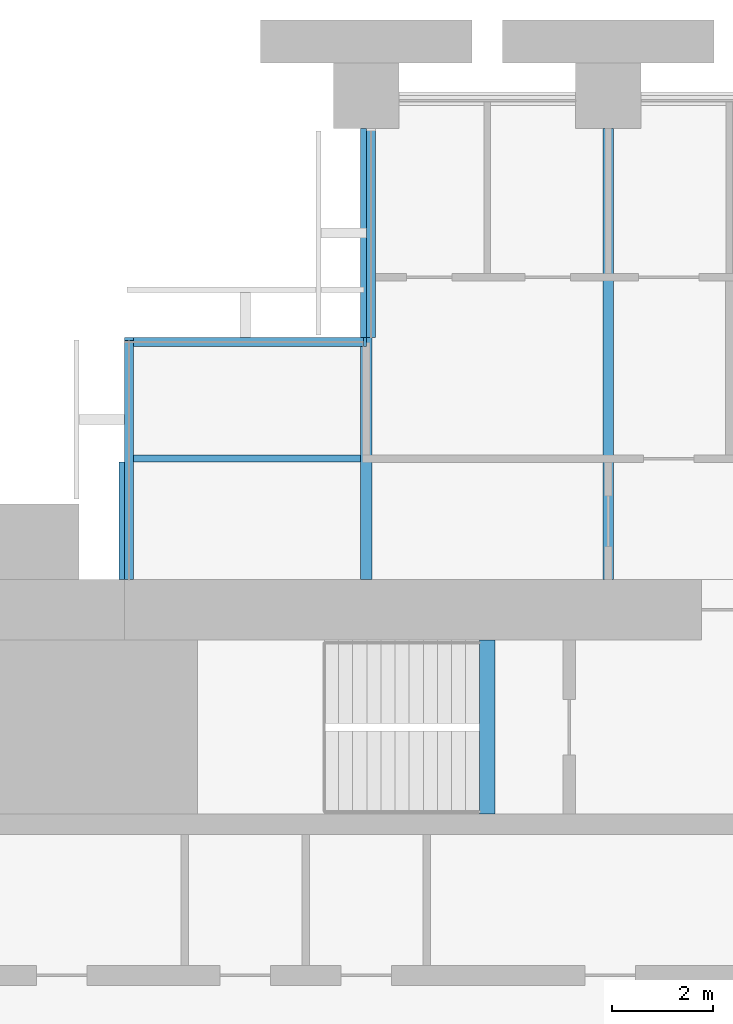
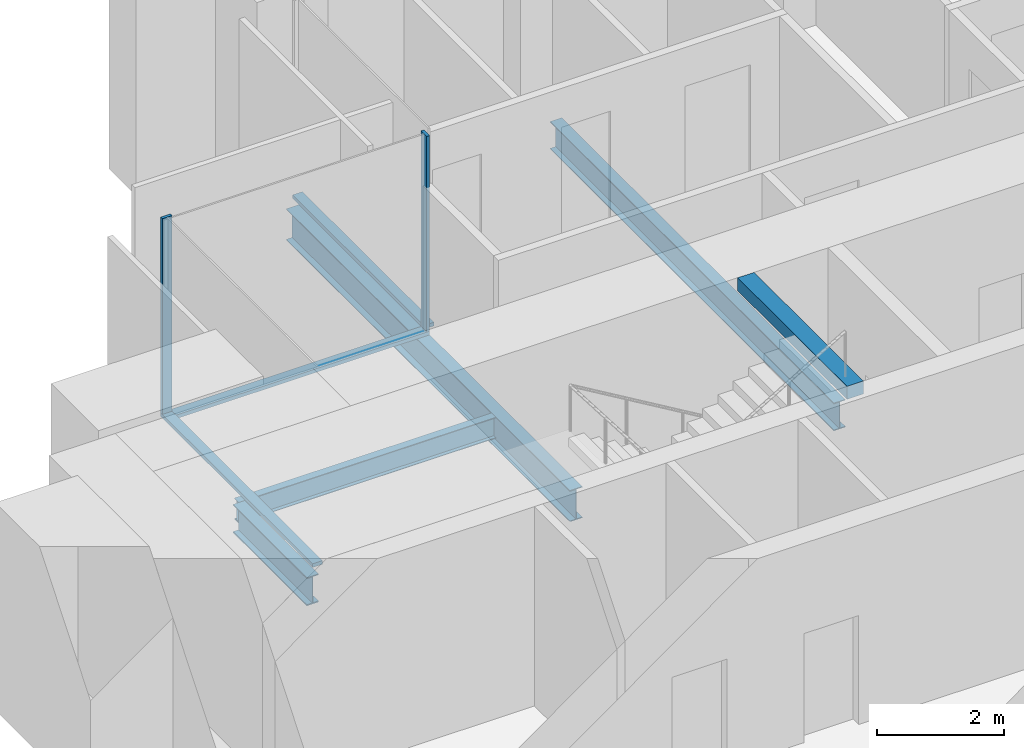
# One storey, part 5 of 14: 5 beams, 5 members, 3 elements without a shape of their own.
"""IFC4 building model written with IfcOpenShell, lengths in metres."""

from ifc_helpers import new_model, si_unit, direction, frame, origin, origin_2d, place, context, subcontext, project, spatial, rectangle, i_section, extrude, material, material_profile, profile_set, type_object, element, aggregate, save


model = new_model("IFC4")

# Units and contexts
model_context = context("Model", 3, precision=1e-05, world=origin(), true_north=direction((0.0, 1.0)))
body_context = subcontext(model_context, "Body", "Model", "MODEL_VIEW")
ifc_project = project(units=[si_unit("LENGTHUNIT", "METRE"), si_unit("AREAUNIT", "SQUARE_METRE"), si_unit("VOLUMEUNIT", "CUBIC_METRE"), si_unit("PLANEANGLEUNIT", "RADIAN"), si_unit("MASSUNIT", "GRAM", prefix="KILO")], contexts=[model_context])

# Site, building, storey
site_placement = place(None, origin())
site = spatial("IfcSite", under=ifc_project, at=site_placement, CompositionType="ELEMENT")
building_placement = place(site_placement, origin())
building = spatial("IfcBuilding", under=site, at=building_placement, Name="Baori Bourse Tower", CompositionType="ELEMENT")
storey_placement = place(building_placement, frame((0.0, 0.0, 67.0)))
storey = spatial("IfcBuildingStorey", under=building, at=storey_placement, Name="L14", CompositionType="ELEMENT", Elevation=67.0)

# Curtain wall, member
ifc_material_1 = material(Name="Pale anodised aluminium", Category="aluminium")
curtain_wall_type = type_object("IfcCurtainWallType", Name="CW2 Curtain wall", PredefinedType="NOTDEFINED", material=ifc_material_1)
curtain_wall_1_placement = place(storey_placement, origin())
curtain_wall_1 = element("IfcCurtainWall", 1, at=curtain_wall_1_placement, inside=storey, type_object=curtain_wall_type, Name="Curtain wall CW2 L14 6", PredefinedType="NOTDEFINED")
ifc_material_2 = material(Name="Pale anodised aluminium", Category="aluminium")
ifc_material_profile_1 = material_profile(ifc_material_2, rectangle(XDim=0.179931640625, YDim=0.054931640625, at=origin_2d()), Name="Mullion 55x180")
ifc_profile_set_1 = profile_set([ifc_material_profile_1], Name="Pale anodised aluminium")
member_type_1 = type_object("IfcMemberType", Name="CW2 Curtain wall mullion", PredefinedType="MULLION", material=ifc_profile_set_1)
member_1_placement = place(storey_placement, frame((9.572509765625, 43.110107421875, 0.070068359375), z_axis=(0.0, 0.0, 1.0), x_axis=(0.0, -1.0, 0.0)))
member_1 = element("IfcMember", 2, at=member_1_placement, type_object=member_type_1, Name="Curtain wall CW2 mullion", PredefinedType="MULLION", context=body_context, shape_type="SweptSolid", body=[
    extrude(rectangle(XDim=0.179931640625, YDim=0.054931640625, at=origin_2d()), origin(), (0.0, 0.0, 1.0), 3.77001953125),
])

curtain_wall_2_placement = place(storey_placement, origin())
curtain_wall_2 = element("IfcCurtainWall", 3, at=curtain_wall_2_placement, inside=storey, type_object=curtain_wall_type, Name="Curtain wall CW2 L14 7", PredefinedType="NOTDEFINED")
member_2_placement = place(storey_placement, frame((4.889892578125, 43.172607421875, 0.070068359375), z_axis=(0.0, 0.0, 1.0), x_axis=(1.0, 0.0, 0.0)))
member_2 = element("IfcMember", 4, at=member_2_placement, type_object=member_type_1, Name="Curtain wall CW2 mullion", PredefinedType="MULLION", context=body_context, shape_type="SweptSolid", body=[
    extrude(rectangle(XDim=0.179931640625, YDim=0.054931640625, at=origin_2d()), origin(), (0.0, 0.0, 1.0), 3.77001953125),
])

curtain_wall_3_placement = place(storey_placement, origin())
curtain_wall_3 = element("IfcCurtainWall", 5, at=curtain_wall_3_placement, inside=storey, type_object=curtain_wall_type, Name="Curtain wall CW2 L14 5", PredefinedType="NOTDEFINED")
ifc_material_3 = material(Name="Pale anodised aluminium", Category="aluminium")
ifc_material_profile_2 = material_profile(ifc_material_3, rectangle(XDim=0.179931640625, YDim=0.070068359375, at=origin_2d()), Name="Transom 70x180")
ifc_profile_set_2 = profile_set([ifc_material_profile_2], Name="Pale anodised aluminium")
member_type_2 = type_object("IfcMemberType", Name="CW2 Curtain wall transom", PredefinedType="USERDEFINED", material=ifc_profile_set_2)
member_3_placement = place(storey_placement, frame((9.68994140625, 47.35009765625, 0.034912109375), z_axis=(0.0, -1.0, 0.0), x_axis=(1.0, 0.0, 0.0)))
member_3 = element("IfcMember", 6, at=member_3_placement, type_object=member_type_2, Name="Curtain wall CW2 sill rail", ObjectType="TRANSOM", PredefinedType="USERDEFINED", context=body_context, shape_type="SweptSolid", body=[
    extrude(rectangle(XDim=0.179931640625, YDim=0.070068359375, at=origin_2d()), origin(), (0.0, 0.0, 1.0), 4.150146484375),
])
aggregate(curtain_wall_3, [member_3])

# Member
member_4_placement = place(storey_placement, frame((9.60009765625, 43.110107421875, 0.034912109375), z_axis=(-1.0, 0.0, 0.0), x_axis=(0.0, -1.0, 0.0)))
member_4 = element("IfcMember", 7, at=member_4_placement, type_object=member_type_2, Name="Curtain wall CW2 sill rail", ObjectType="TRANSOM", PredefinedType="USERDEFINED", context=body_context, shape_type="SweptSolid", body=[
    extrude(rectangle(XDim=0.179931640625, YDim=0.070068359375, at=origin_2d()), origin(), (0.0, 0.0, 1.0), 4.800048828125),
])

aggregate(curtain_wall_1, [member_4, member_1])

member_5_placement = place(storey_placement, frame((4.889892578125, 43.199951171875, 0.034912109375), z_axis=(0.0, -1.0, 0.0), x_axis=(1.0, 0.0, 0.0)))
member_5 = element("IfcMember", 8, at=member_5_placement, type_object=member_type_2, Name="Curtain wall CW2 sill rail", ObjectType="TRANSOM", PredefinedType="USERDEFINED", context=body_context, shape_type="SweptSolid", body=[
    extrude(rectangle(XDim=0.179931640625, YDim=0.070068359375, at=origin_2d()), origin(), (0.0, 0.0, 1.0), 4.800048828125),
])

aggregate(curtain_wall_2, [member_5, member_2])

# Beams
ifc_material_4 = material(Name="Steel A992 Gr 50", Category="steel")
ifc_material_profile_3 = material_profile(ifc_material_4, i_section(OverallWidth=0.21240234375, OverallDepth=0.54345703125, WebThickness=0.01318359375, FlangeThickness=0.021240234375, at=origin_2d()), Name="W21x83")
ifc_profile_set_3 = profile_set([ifc_material_profile_3], Name="Steel A992 Gr 50")
beam_type_1 = type_object("IfcBeamType", Name="Core bracket W21x83", PredefinedType="BEAM", material=ifc_profile_set_3)
beam_1_placement = place(storey_placement, frame((4.800048828125, 38.39990234375, -0.431884765625), z_axis=(0.0, 1.0, 0.0), x_axis=(-1.0, 0.0, 0.0)))
element("IfcBeam", 9, at=beam_1_placement, inside=storey, type_object=beam_type_1, Name="Core bracket L14", PredefinedType="BEAM", context=body_context, shape_type="SweptSolid", body=[
    extrude(i_section(OverallWidth=0.21240234375, OverallDepth=0.54345703125, WebThickness=0.01318359375, FlangeThickness=0.021240234375, at=origin_2d()), origin(), (0.0, 0.0, 1.0), 2.329833984375),
])
ifc_material_5 = material(Name="Steel A992 Gr 50", Category="steel")
ifc_material_profile_4 = material_profile(ifc_material_5, i_section(OverallWidth=0.209228515625, OverallDepth=0.533447265625, WebThickness=0.01025390625, FlangeThickness=0.015625, at=origin_2d()), Name="W21x62")
ifc_profile_set_4 = profile_set([ifc_material_profile_4], Name="Steel A992 Gr 50")
beam_type_2 = type_object("IfcBeamType", Name="Floor beam W21x62", PredefinedType="BEAM", material=ifc_profile_set_4)
beam_2_placement = place(storey_placement, frame((14.39990234375, 38.39990234375, -0.4267578125), z_axis=(0.0, 1.0, 0.0), x_axis=(-1.0, 0.0, 0.0)))
element("IfcBeam", 10, at=beam_2_placement, inside=storey, type_object=beam_type_2, Name="Floor beam L14", PredefinedType="BEAM", context=body_context, shape_type="SweptSolid", body=[
    extrude(i_section(OverallWidth=0.209228515625, OverallDepth=0.533447265625, WebThickness=0.01025390625, FlangeThickness=0.015625, at=origin_2d()), origin(), (0.0, 0.0, 1.0), 8.9501953125),
])
ifc_material_6 = material(Name="Steel A992 Gr 50", Category="steel")
ifc_material_profile_5 = material_profile(ifc_material_6, i_section(OverallWidth=0.227783203125, OverallDepth=0.60205078125, WebThickness=0.010498046875, FlangeThickness=0.014892578125, at=origin_2d()), Name="W24x68")
ifc_profile_set_5 = profile_set([ifc_material_profile_5], Name="Steel A992 Gr 50")
beam_type_3 = type_object("IfcBeamType", Name="Floor beam W24x68", PredefinedType="BEAM", material=ifc_profile_set_5)
beam_3_placement = place(storey_placement, frame((9.60009765625, 38.39990234375, -0.4609375), z_axis=(0.0, 1.0, 0.0), x_axis=(-1.0, 0.0, 0.0)))
element("IfcBeam", 11, at=beam_3_placement, inside=storey, type_object=beam_type_3, Name="Floor beam L14", PredefinedType="BEAM", context=body_context, shape_type="SweptSolid", body=[
    extrude(i_section(OverallWidth=0.227783203125, OverallDepth=0.60205078125, WebThickness=0.010498046875, FlangeThickness=0.014892578125, at=origin_2d()), origin(), (0.0, 0.0, 1.0), 8.9501953125),
])
ifc_material_7 = material(Name="Concrete f'c 50 MPa", Category="concrete")
ifc_material_profile_6 = material_profile(ifc_material_7, rectangle(XDim=0.300048828125, YDim=0.25, at=origin_2d()), Name="RC 300x250")
ifc_profile_set_6 = profile_set([ifc_material_profile_6], Name="Concrete f'c 50 MPa")
beam_type_4 = type_object("IfcBeamType", Name="Stair nib beam RC 300x250", PredefinedType="BEAM", material=ifc_profile_set_6)
beam_4_placement = place(storey_placement, frame((12.0, 33.75, 3.715087890625), z_axis=(0.0, 1.0, 0.0), x_axis=(-1.0, 0.0, 0.0)))
element("IfcBeam", 12, at=beam_4_placement, inside=storey, type_object=beam_type_4, Name="Stair WB nib beam L15", PredefinedType="BEAM", context=body_context, shape_type="SweptSolid", body=[
    extrude(rectangle(XDim=0.300048828125, YDim=0.25, at=origin_2d()), origin(), (0.0, 0.0, 1.0), 3.449951171875),
])
ifc_material_8 = material(Name="Steel A992 Gr 50", Category="steel")
ifc_material_profile_7 = material_profile(ifc_material_8, i_section(OverallWidth=0.140380859375, OverallDepth=0.40380859375, WebThickness=0.007080078125, FlangeThickness=0.01123046875, at=origin_2d()), Name="W16x31")
ifc_profile_set_7 = profile_set([ifc_material_profile_7], Name="Steel A992 Gr 50")
beam_type_5 = type_object("IfcBeamType", Name="Trimmer beam W16x31", PredefinedType="BEAM", material=ifc_profile_set_7)
beam_5_placement = place(storey_placement, frame((4.800048828125, 40.800048828125, -0.36181640625), z_axis=(1.0, 0.0, 0.0), x_axis=(0.0, 1.0, 0.0)))
element("IfcBeam", 13, at=beam_5_placement, inside=storey, type_object=beam_type_5, Name="Trimmer beam L14", PredefinedType="BEAM", context=body_context, shape_type="SweptSolid", body=[
    extrude(i_section(OverallWidth=0.140380859375, OverallDepth=0.40380859375, WebThickness=0.007080078125, FlangeThickness=0.01123046875, at=origin_2d()), origin(), (0.0, 0.0, 1.0), 4.68603515625),
])

save(model, "model.ifc")
